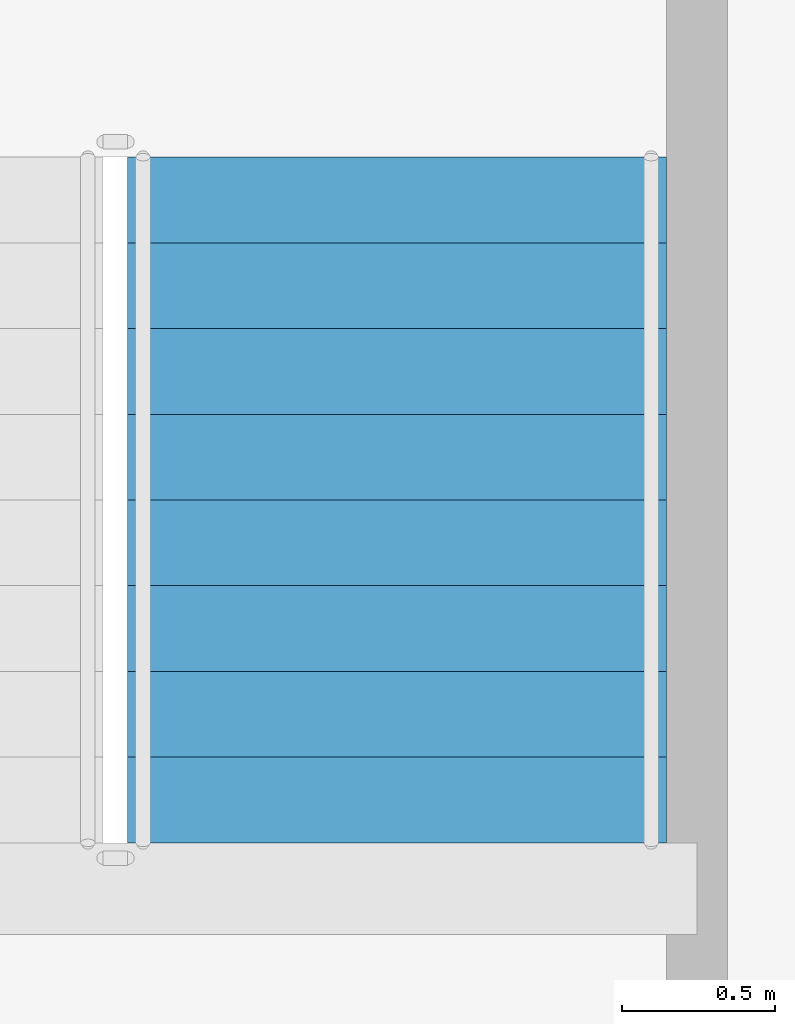
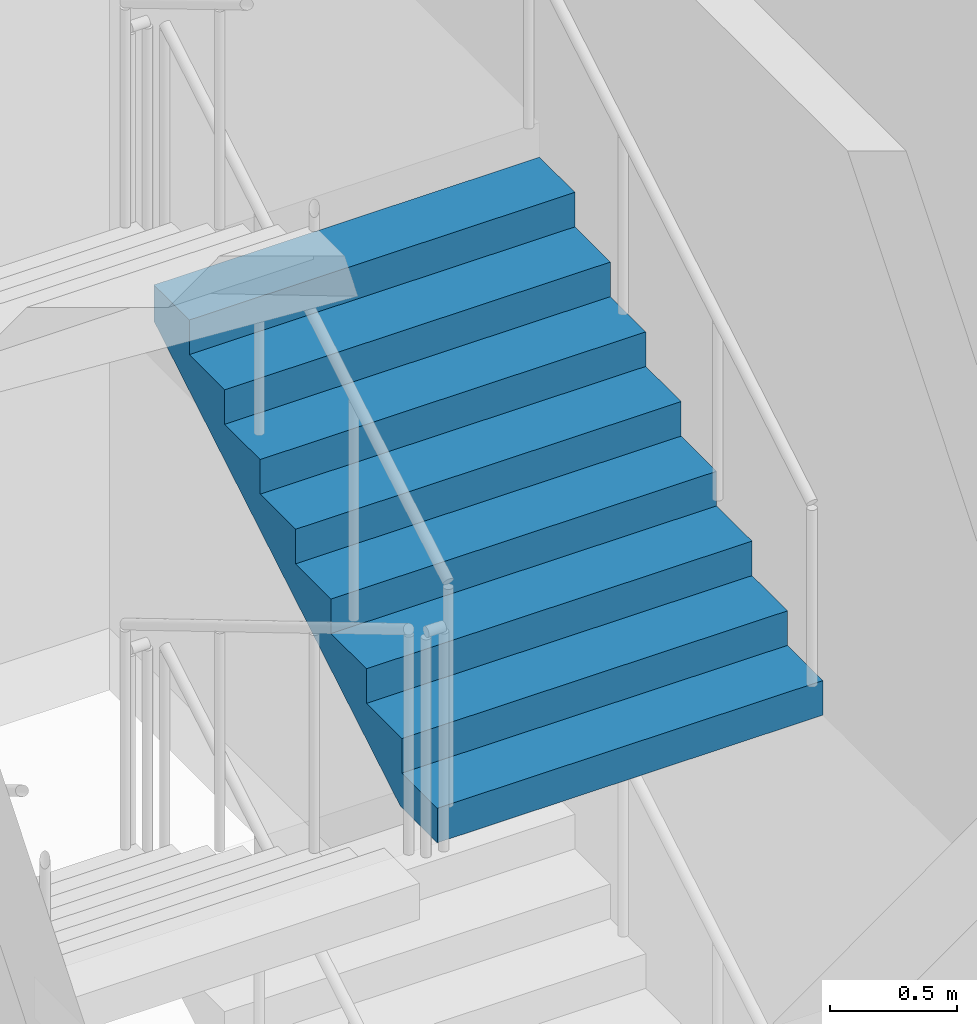
# One storey, part 34 of 48: 1 stair flight, 1 element without a shape of its own.
"""IFC4 building model written with IfcOpenShell, lengths in metres."""

from ifc_helpers import new_model, si_unit, direction, frame, origin, place, context, subcontext, project, spatial, faceted_brep, material, type_object, element, aggregate, save


model = new_model("IFC4")

# Units and contexts
model_context = context("Model", 3, precision=1e-05, world=origin(), true_north=direction((0.0, 1.0)))
body_context = subcontext(model_context, "Body", "Model", "MODEL_VIEW")
ifc_project = project(units=[si_unit("LENGTHUNIT", "METRE"), si_unit("AREAUNIT", "SQUARE_METRE"), si_unit("VOLUMEUNIT", "CUBIC_METRE"), si_unit("PLANEANGLEUNIT", "RADIAN"), si_unit("MASSUNIT", "GRAM", prefix="KILO")], contexts=[model_context])

# Site, building, storey
site_placement = place(None, origin())
site = spatial("IfcSite", under=ifc_project, at=site_placement, CompositionType="ELEMENT")
building_placement = place(site_placement, origin())
building = spatial("IfcBuilding", under=site, at=building_placement, Name="Tarsis Ring Headquarters", CompositionType="ELEMENT")
storey_placement = place(building_placement, frame((0.0, 0.0, 34.0)))
storey = spatial("IfcBuildingStorey", under=building, at=storey_placement, Name="L06", CompositionType="ELEMENT", Elevation=34.0)

# Stair, stair flight
ifc_material_1 = material(Name="Core stair 1760")
stair_type = type_object("IfcStairType", Name="Core stair 1760", PredefinedType="HALF_TURN_STAIR", material=ifc_material_1)
stair_placement = place(storey_placement, origin())
stair = element("IfcStair", 1, at=stair_placement, inside=storey, type_object=stair_type, Name="L06 Exit stair B", PredefinedType="HALF_TURN_STAIR")
ifc_material_2 = material(Name="Concrete C40/50", Category="concrete")
stair_flight_type = type_object("IfcStairFlightType", Name="Core stair flight 1760", PredefinedType="STRAIGHT", material=ifc_material_2)
stair_flight_placement = place(storey_placement, frame((5.419921875, 3.659912109375, 3.0), z_axis=(0.0, 0.0, 1.0), x_axis=(0.0, 1.0, 0.0)))
stair_flight = element("IfcStairFlight", 2, at=stair_flight_placement, type_object=stair_flight_type, Name="Stair ST2 flight 3", NumberOfRisers=9, NumberOfTreads=8, PredefinedType="STRAIGHT", RiserHeight=0.166666667, TreadLength=0.28, context=body_context, shape_type="Brep", body=[
    faceted_brep([(0.0, 0.8798828125, 0.0), (0.0, 0.8798828125, 0.166748046875), (0.280029296875, 0.8798828125, 0.166748046875), (0.280029296875, 0.8798828125, 0.333251953125), (0.56005859375, 0.8798828125, 0.333251953125), (0.56005859375, 0.8798828125, 0.5), (0.840087890625, 0.8798828125, 0.5), (0.840087890625, 0.8798828125, 0.666748046875), (1.1201171875, 0.8798828125, 0.666748046875), (1.1201171875, 0.8798828125, 0.833251953125), (1.39990234375, 0.8798828125, 0.833251953125), (1.39990234375, 0.8798828125, 1.0), (1.679931640625, 0.8798828125, 1.0), (1.679931640625, 0.8798828125, 1.166748046875), (1.9599609375, 0.8798828125, 1.166748046875), (1.9599609375, 0.8798828125, 1.333251953125), (2.239990234375, 0.8798828125, 1.333251953125), (2.239990234375, 0.8798828125, 1.158935546875), (0.29296875, 0.8798828125, 0.0), (0.29296875, -0.8798828125, 0.0), (2.239990234375, -0.8798828125, 1.158935546875), (2.239990234375, -0.8798828125, 1.333251953125), (1.9599609375, -0.8798828125, 1.333251953125), (1.9599609375, -0.8798828125, 1.166748046875), (1.679931640625, -0.8798828125, 1.166748046875), (1.679931640625, -0.8798828125, 1.0), (1.39990234375, -0.8798828125, 1.0), (1.39990234375, -0.8798828125, 0.833251953125), (1.1201171875, -0.8798828125, 0.833251953125), (1.1201171875, -0.8798828125, 0.666748046875), (0.840087890625, -0.8798828125, 0.666748046875), (0.840087890625, -0.8798828125, 0.5), (0.56005859375, -0.8798828125, 0.5), (0.56005859375, -0.8798828125, 0.333251953125), (0.280029296875, -0.8798828125, 0.333251953125), (0.280029296875, -0.8798828125, 0.166748046875), (0.0, -0.8798828125, 0.166748046875), (0.0, -0.8798828125, 0.0), (0.0, -0.43994140625, 0.166748046875), (0.0, -0.43994140625, 0.0), (0.0, 0.0, 0.166748046875), (0.0, 0.0, 0.0), (0.0, 0.43994140625, 0.166748046875), (0.0, 0.43994140625, 0.0), (0.280029296875, -0.43994140625, 0.166748046875), (0.280029296875, 0.0, 0.166748046875), (0.280029296875, 0.43994140625, 0.166748046875), (0.280029296875, -0.43994140625, 0.333251953125), (0.280029296875, 0.0, 0.333251953125), (0.280029296875, 0.43994140625, 0.333251953125), (0.56005859375, -0.43994140625, 0.333251953125), (0.56005859375, 0.0, 0.333251953125), (0.56005859375, 0.43994140625, 0.333251953125), (0.56005859375, -0.43994140625, 0.5), (0.56005859375, 0.0, 0.5), (0.56005859375, 0.43994140625, 0.5), (0.840087890625, -0.43994140625, 0.5), (0.840087890625, 0.0, 0.5), (0.840087890625, 0.43994140625, 0.5), (0.840087890625, -0.43994140625, 0.666748046875), (0.840087890625, 0.0, 0.666748046875), (0.840087890625, 0.43994140625, 0.666748046875), (1.1201171875, -0.43994140625, 0.666748046875), (1.1201171875, 0.0, 0.666748046875), (1.1201171875, 0.43994140625, 0.666748046875), (1.1201171875, -0.43994140625, 0.833251953125), (1.1201171875, 0.0, 0.833251953125), (1.1201171875, 0.43994140625, 0.833251953125), (1.39990234375, -0.43994140625, 0.833251953125), (1.39990234375, 0.0, 0.833251953125), (1.39990234375, 0.43994140625, 0.833251953125), (1.39990234375, -0.43994140625, 1.0), (1.39990234375, 0.0, 1.0), (1.39990234375, 0.43994140625, 1.0), (1.679931640625, -0.43994140625, 1.0), (1.679931640625, 0.0, 1.0), (1.679931640625, 0.43994140625, 1.0), (1.679931640625, -0.43994140625, 1.166748046875), (1.679931640625, 0.0, 1.166748046875), (1.679931640625, 0.43994140625, 1.166748046875), (1.9599609375, -0.43994140625, 1.166748046875), (1.9599609375, 0.0, 1.166748046875), (1.9599609375, 0.43994140625, 1.166748046875), (1.9599609375, -0.43994140625, 1.333251953125), (1.9599609375, 0.0, 1.333251953125), (1.9599609375, 0.43994140625, 1.333251953125), (2.239990234375, -0.43994140625, 1.333251953125), (2.239990234375, 0.0, 1.333251953125), (2.239990234375, 0.43994140625, 1.333251953125), (2.239990234375, -0.43994140625, 1.158935546875), (2.239990234375, 0.0, 1.158935546875), (2.239990234375, 0.43994140625, 1.158935546875), (0.29296875, -0.43994140625, 0.0), (0.29296875, 0.0, 0.0), (0.29296875, 0.43994140625, 0.0)], [[[0, 1, 2, 3, 4, 5, 6, 7, 8, 9, 10, 11, 12, 13, 14, 15, 16, 17, 18]], [[19, 20, 21, 22, 23, 24, 25, 26, 27, 28, 29, 30, 31, 32, 33, 34, 35, 36, 37]], [[37, 36, 38, 39]], [[39, 38, 40, 41]], [[41, 40, 42, 43]], [[43, 42, 1, 0]], [[36, 35, 44, 38]], [[38, 44, 45, 40]], [[40, 45, 46, 42]], [[42, 46, 2, 1]], [[35, 34, 47, 44]], [[44, 47, 48, 45]], [[45, 48, 49, 46]], [[46, 49, 3, 2]], [[34, 33, 50, 47]], [[47, 50, 51, 48]], [[48, 51, 52, 49]], [[49, 52, 4, 3]], [[33, 32, 53, 50]], [[50, 53, 54, 51]], [[51, 54, 55, 52]], [[52, 55, 5, 4]], [[32, 31, 56, 53]], [[53, 56, 57, 54]], [[54, 57, 58, 55]], [[55, 58, 6, 5]], [[31, 30, 59, 56]], [[56, 59, 60, 57]], [[57, 60, 61, 58]], [[58, 61, 7, 6]], [[30, 29, 62, 59]], [[59, 62, 63, 60]], [[60, 63, 64, 61]], [[61, 64, 8, 7]], [[29, 28, 65, 62]], [[62, 65, 66, 63]], [[63, 66, 67, 64]], [[64, 67, 9, 8]], [[28, 27, 68, 65]], [[65, 68, 69, 66]], [[66, 69, 70, 67]], [[67, 70, 10, 9]], [[27, 26, 71, 68]], [[68, 71, 72, 69]], [[69, 72, 73, 70]], [[70, 73, 11, 10]], [[26, 25, 74, 71]], [[71, 74, 75, 72]], [[72, 75, 76, 73]], [[73, 76, 12, 11]], [[25, 24, 77, 74]], [[74, 77, 78, 75]], [[75, 78, 79, 76]], [[76, 79, 13, 12]], [[24, 23, 80, 77]], [[77, 80, 81, 78]], [[78, 81, 82, 79]], [[79, 82, 14, 13]], [[23, 22, 83, 80]], [[80, 83, 84, 81]], [[81, 84, 85, 82]], [[82, 85, 15, 14]], [[22, 21, 86, 83]], [[83, 86, 87, 84]], [[84, 87, 88, 85]], [[85, 88, 16, 15]], [[21, 20, 89, 86]], [[86, 89, 90, 87]], [[87, 90, 91, 88]], [[88, 91, 17, 16]], [[20, 19, 92, 89]], [[89, 92, 93, 90]], [[90, 93, 94, 91]], [[91, 94, 18, 17]], [[19, 37, 39, 92]], [[92, 39, 41, 93]], [[93, 41, 43, 94]], [[94, 43, 0, 18]]]),
])
aggregate(stair, [stair_flight])

save(model, "model.ifc")
